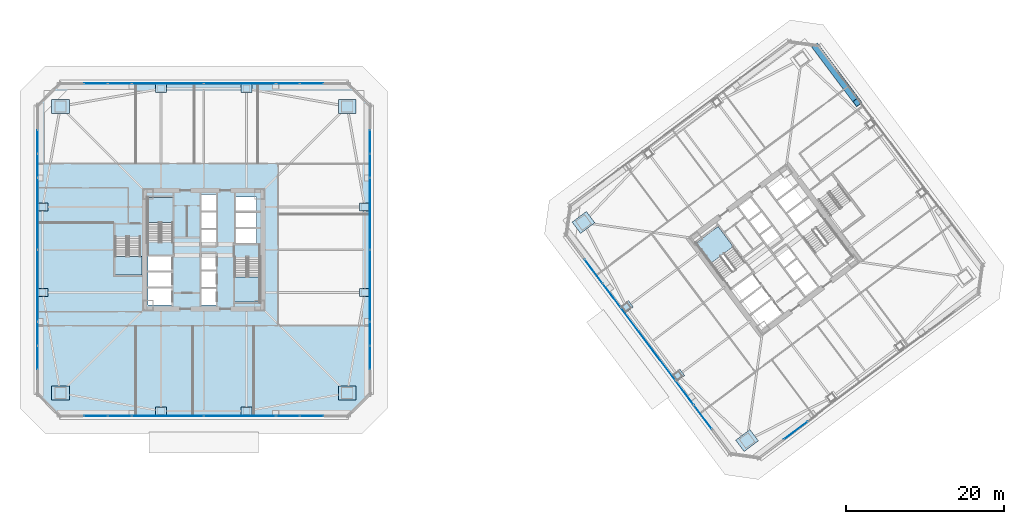
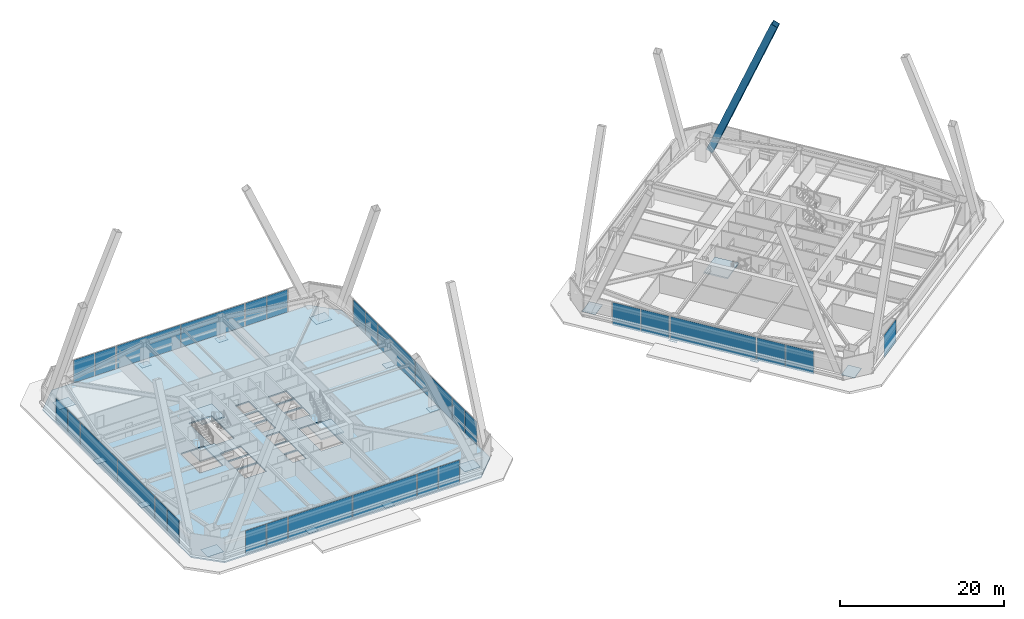
# One storey, part 54 of 67: 46 plates, 5 slabs, 1 member, 20 elements without a shape of their own.
"""IFC4 building model written with IfcOpenShell, lengths in metres."""

from ifc_helpers import new_model, si_unit, direction, frame, origin, origin_2d, place, context, subcontext, project, spatial, polyline, rectangle, hollow_rectangle, outline, extrude, material, layer, layer_set, material_profile, profile_set, type_object, element, aggregate, save


model = new_model("IFC4")

# Units and contexts
model_context = context("Model", 3, precision=1e-05, world=origin(), true_north=direction((0.0, 1.0)))
body_context = subcontext(model_context, "Body", "Model", "MODEL_VIEW")
ifc_project = project(units=[si_unit("LENGTHUNIT", "METRE"), si_unit("AREAUNIT", "SQUARE_METRE"), si_unit("VOLUMEUNIT", "CUBIC_METRE"), si_unit("PLANEANGLEUNIT", "RADIAN"), si_unit("MASSUNIT", "GRAM", prefix="KILO")], contexts=[model_context])

# Site, building, storey
site_placement = place(None, origin())
site = spatial("IfcSite", under=ifc_project, at=site_placement, CompositionType="ELEMENT")
building_placement = place(site_placement, origin())
building = spatial("IfcBuilding", under=site, at=building_placement, Name="Tashvorn Skyway Center", CompositionType="ELEMENT")
storey_placement = place(building_placement, frame((0.0, 0.0, 67.199951171875)))
storey = spatial("IfcBuildingStorey", under=building, at=storey_placement, Name="L17", CompositionType="ELEMENT", Elevation=67.199951171875)

# Member
ifc_material_1 = material(Name="Steel ASTM A572 Grade 50", Category="steel")
ifc_material_profile = material_profile(ifc_material_1, hollow_rectangle(XDim=0.89990234375, YDim=0.89990234375, WallThickness=0.0400390625, at=origin_2d()), Name="BOX900x900x40")
ifc_profile_set = profile_set([ifc_material_profile], Name="Steel ASTM A572 Grade 50")
member_type = type_object("IfcMemberType", Name="MEM-MB-900", PredefinedType="BRACE", material=ifc_profile_set)
member_placement = place(storey_placement, frame((119.343994140625, 57.508056640625, -0.219970703125), z_axis=(0.226733522004, -0.302322090541, 0.925847321954), x_axis=(0.800010219666, 0.599986373537, 0.0)))
element("IfcMember", 1, at=member_placement, inside=storey, type_object=member_type, Name="Tower 2 Zone 2 E Chevron Mega-Brace R1", PredefinedType="BRACE", context=body_context, shape_type="SweptSolid", body=[
    extrude(hollow_rectangle(XDim=0.89990234375, YDim=0.89990234375, WallThickness=0.0400390625, at=origin_2d()), origin(), (0.0, 0.0, 1.0), 22.757568359375),
])

# Curtain wall, plates
ifc_material_2 = material(Name="Thermally broken bronze-anodized aluminium 6063-T6", Category="aluminium")
curtain_wall_type = type_object("IfcCurtainWallType", Name="CW-CW-Z2", PredefinedType="NOTDEFINED", material=ifc_material_2)
curtain_wall_1_placement = place(storey_placement, origin())
curtain_wall_1 = element("IfcCurtainWall", 2, at=curtain_wall_1_placement, inside=storey, type_object=curtain_wall_type, Name="Tower 1 L17 South Unitised Curtain Wall Glazing Group 1", PredefinedType="NOTDEFINED")
ifc_material_3 = material(Name="Low-E solar-control double insulating safety glass", Category="glass")
ifc_layer_1 = layer(ifc_material_3, 0.0439453125)
ifc_layer_set_1 = layer_set([ifc_layer_1], Name="Low-E solar-control double insulating safety glass")
plate_type_1 = type_object("IfcPlateType", Name="CWP-CW-Z2", PredefinedType="CURTAIN_PANEL", material=ifc_layer_set_1)
plate_1_placement = place(storey_placement, frame((55.614990234375, 11.02001953125, 0.080078125), z_axis=(0.0, 0.0, 1.0), x_axis=(-1.0, 0.0, 0.0)))
plate_1 = element("IfcPlate", 3, at=plate_1_placement, type_object=plate_type_1, Name="CW-Z2 panel 1.1", PredefinedType="CURTAIN_PANEL", context=body_context, shape_type="SweptSolid", body=[
    extrude(rectangle(XDim=2.909912109375, YDim=0.0439453125, at=origin_2d()), origin(), (0.0, 0.0, 1.0), 3.389892578125),
])
plate_2_placement = place(storey_placement, frame((52.625, 11.02001953125, 0.080078125), z_axis=(0.0, 0.0, 1.0), x_axis=(-1.0, 0.0, 0.0)))
plate_2 = element("IfcPlate", 4, at=plate_2_placement, type_object=plate_type_1, Name="CW-Z2 panel 2.1", PredefinedType="CURTAIN_PANEL", context=body_context, shape_type="SweptSolid", body=[
    extrude(rectangle(XDim=2.909912109375, YDim=0.0439453125, at=origin_2d()), origin(), (0.0, 0.0, 1.0), 3.389892578125),
])
aggregate(curtain_wall_1, [plate_1, plate_2])

curtain_wall_2_placement = place(storey_placement, origin())
curtain_wall_2 = element("IfcCurtainWall", 5, at=curtain_wall_2_placement, inside=storey, type_object=curtain_wall_type, Name="Tower 1 L17 South Unitised Curtain Wall Glazing Group 2", PredefinedType="NOTDEFINED")
plate_3_placement = place(storey_placement, frame((46.52490234375, 11.02001953125, 0.080078125), z_axis=(0.0, 0.0, 1.0), x_axis=(-1.0, 0.0, 0.0)))
plate_3 = element("IfcPlate", 6, at=plate_3_placement, type_object=plate_type_1, Name="CW-Z2 panel 1.1", PredefinedType="CURTAIN_PANEL", context=body_context, shape_type="SweptSolid", body=[
    extrude(rectangle(XDim=8.969970703125, YDim=0.0439453125, at=origin_2d()), origin(), (0.0, 0.0, 1.0), 3.389892578125),
])
plate_4_placement = place(storey_placement, frame((37.47509765625, 11.02001953125, 0.080078125), z_axis=(0.0, 0.0, 1.0), x_axis=(-1.0, 0.0, 0.0)))
plate_4 = element("IfcPlate", 7, at=plate_4_placement, type_object=plate_type_1, Name="CW-Z2 panel 2.1", PredefinedType="CURTAIN_PANEL", context=body_context, shape_type="SweptSolid", body=[
    extrude(rectangle(XDim=8.969970703125, YDim=0.0439453125, at=origin_2d()), origin(), (0.0, 0.0, 1.0), 3.389892578125),
])
aggregate(curtain_wall_2, [plate_3, plate_4])

curtain_wall_3_placement = place(storey_placement, origin())
curtain_wall_3 = element("IfcCurtainWall", 8, at=curtain_wall_3_placement, inside=storey, type_object=curtain_wall_type, Name="Tower 1 L17 South Unitised Curtain Wall Glazing Group 3", PredefinedType="NOTDEFINED")
plate_5_placement = place(storey_placement, frame((31.375, 11.02001953125, 0.080078125), z_axis=(0.0, 0.0, 1.0), x_axis=(-1.0, 0.0, 0.0)))
plate_5 = element("IfcPlate", 9, at=plate_5_placement, type_object=plate_type_1, Name="CW-Z2 panel 1.1", PredefinedType="CURTAIN_PANEL", context=body_context, shape_type="SweptSolid", body=[
    extrude(rectangle(XDim=2.909912109375, YDim=0.0439453125, at=origin_2d()), origin(), (0.0, 0.0, 1.0), 3.389892578125),
])
plate_6_placement = place(storey_placement, frame((28.385009765625, 11.02001953125, 0.080078125), z_axis=(0.0, 0.0, 1.0), x_axis=(-1.0, 0.0, 0.0)))
plate_6 = element("IfcPlate", 10, at=plate_6_placement, type_object=plate_type_1, Name="CW-Z2 panel 2.1", PredefinedType="CURTAIN_PANEL", context=body_context, shape_type="SweptSolid", body=[
    extrude(rectangle(XDim=2.909912109375, YDim=0.0439453125, at=origin_2d()), origin(), (0.0, 0.0, 1.0), 3.389892578125),
])
aggregate(curtain_wall_3, [plate_5, plate_6])

curtain_wall_4_placement = place(storey_placement, origin())
curtain_wall_4 = element("IfcCurtainWall", 11, at=curtain_wall_4_placement, inside=storey, type_object=curtain_wall_type, Name="Tower 1 L17 West Unitised Curtain Wall Glazing Group 1", PredefinedType="NOTDEFINED")
plate_7_placement = place(storey_placement, frame((21.02001953125, 18.385009765625, 0.080078125), z_axis=(0.0, 0.0, 1.0), x_axis=(0.0, 1.0, 0.0)))
plate_7 = element("IfcPlate", 12, at=plate_7_placement, type_object=plate_type_1, Name="CW-Z2 panel 1.1", PredefinedType="CURTAIN_PANEL", context=body_context, shape_type="SweptSolid", body=[
    extrude(rectangle(XDim=2.909912109375, YDim=0.0439453125, at=origin_2d()), origin(), (0.0, 0.0, 1.0), 3.389892578125),
])
plate_8_placement = place(storey_placement, frame((21.02001953125, 21.375, 0.080078125), z_axis=(0.0, 0.0, 1.0), x_axis=(0.0, 1.0, 0.0)))
plate_8 = element("IfcPlate", 13, at=plate_8_placement, type_object=plate_type_1, Name="CW-Z2 panel 2.1", PredefinedType="CURTAIN_PANEL", context=body_context, shape_type="SweptSolid", body=[
    extrude(rectangle(XDim=2.909912109375, YDim=0.0439453125, at=origin_2d()), origin(), (0.0, 0.0, 1.0), 3.389892578125),
])
aggregate(curtain_wall_4, [plate_7, plate_8])

curtain_wall_5_placement = place(storey_placement, origin())
curtain_wall_5 = element("IfcCurtainWall", 14, at=curtain_wall_5_placement, inside=storey, type_object=curtain_wall_type, Name="Tower 1 L17 West Unitised Curtain Wall Glazing Group 2", PredefinedType="NOTDEFINED")
plate_9_placement = place(storey_placement, frame((21.02001953125, 27.47509765625, 0.080078125), z_axis=(0.0, 0.0, 1.0), x_axis=(0.0, 1.0, 0.0)))
plate_9 = element("IfcPlate", 15, at=plate_9_placement, type_object=plate_type_1, Name="CW-Z2 panel 1.1", PredefinedType="CURTAIN_PANEL", context=body_context, shape_type="SweptSolid", body=[
    extrude(rectangle(XDim=8.969970703125, YDim=0.0439453125, at=origin_2d()), origin(), (0.0, 0.0, 1.0), 3.389892578125),
])
plate_10_placement = place(storey_placement, frame((21.02001953125, 36.52490234375, 0.080078125), z_axis=(0.0, 0.0, 1.0), x_axis=(0.0, 1.0, 0.0)))
plate_10 = element("IfcPlate", 16, at=plate_10_placement, type_object=plate_type_1, Name="CW-Z2 panel 2.1", PredefinedType="CURTAIN_PANEL", context=body_context, shape_type="SweptSolid", body=[
    extrude(rectangle(XDim=8.969970703125, YDim=0.0439453125, at=origin_2d()), origin(), (0.0, 0.0, 1.0), 3.389892578125),
])
aggregate(curtain_wall_5, [plate_9, plate_10])

curtain_wall_6_placement = place(storey_placement, origin())
curtain_wall_6 = element("IfcCurtainWall", 17, at=curtain_wall_6_placement, inside=storey, type_object=curtain_wall_type, Name="Tower 1 L17 West Unitised Curtain Wall Glazing Group 3", PredefinedType="NOTDEFINED")
plate_11_placement = place(storey_placement, frame((21.02001953125, 42.625, 0.080078125), z_axis=(0.0, 0.0, 1.0), x_axis=(0.0, 1.0, 0.0)))
plate_11 = element("IfcPlate", 18, at=plate_11_placement, type_object=plate_type_1, Name="CW-Z2 panel 1.1", PredefinedType="CURTAIN_PANEL", context=body_context, shape_type="SweptSolid", body=[
    extrude(rectangle(XDim=2.909912109375, YDim=0.0439453125, at=origin_2d()), origin(), (0.0, 0.0, 1.0), 3.389892578125),
])
plate_12_placement = place(storey_placement, frame((21.02001953125, 45.614990234375, 0.080078125), z_axis=(0.0, 0.0, 1.0), x_axis=(0.0, 1.0, 0.0)))
plate_12 = element("IfcPlate", 19, at=plate_12_placement, type_object=plate_type_1, Name="CW-Z2 panel 2.1", PredefinedType="CURTAIN_PANEL", context=body_context, shape_type="SweptSolid", body=[
    extrude(rectangle(XDim=2.909912109375, YDim=0.0439453125, at=origin_2d()), origin(), (0.0, 0.0, 1.0), 3.389892578125),
])
aggregate(curtain_wall_6, [plate_11, plate_12])

curtain_wall_7_placement = place(storey_placement, origin())
curtain_wall_7 = element("IfcCurtainWall", 20, at=curtain_wall_7_placement, inside=storey, type_object=curtain_wall_type, Name="Tower 1 L17 North Unitised Curtain Wall Glazing Group 1", PredefinedType="NOTDEFINED")
plate_13_placement = place(storey_placement, frame((28.385009765625, 52.97998046875, 0.080078125), z_axis=(0.0, 0.0, 1.0), x_axis=(1.0, 0.0, 0.0)))
plate_13 = element("IfcPlate", 21, at=plate_13_placement, type_object=plate_type_1, Name="CW-Z2 panel 1.1", PredefinedType="CURTAIN_PANEL", context=body_context, shape_type="SweptSolid", body=[
    extrude(rectangle(XDim=2.909912109375, YDim=0.0439453125, at=origin_2d()), origin(), (0.0, 0.0, 1.0), 3.389892578125),
])
plate_14_placement = place(storey_placement, frame((31.375, 52.97998046875, 0.080078125), z_axis=(0.0, 0.0, 1.0), x_axis=(1.0, 0.0, 0.0)))
plate_14 = element("IfcPlate", 22, at=plate_14_placement, type_object=plate_type_1, Name="CW-Z2 panel 2.1", PredefinedType="CURTAIN_PANEL", context=body_context, shape_type="SweptSolid", body=[
    extrude(rectangle(XDim=2.909912109375, YDim=0.0439453125, at=origin_2d()), origin(), (0.0, 0.0, 1.0), 3.389892578125),
])
aggregate(curtain_wall_7, [plate_13, plate_14])

curtain_wall_8_placement = place(storey_placement, origin())
curtain_wall_8 = element("IfcCurtainWall", 23, at=curtain_wall_8_placement, inside=storey, type_object=curtain_wall_type, Name="Tower 1 L17 North Unitised Curtain Wall Glazing Group 2", PredefinedType="NOTDEFINED")
plate_15_placement = place(storey_placement, frame((37.47509765625, 52.97998046875, 0.080078125), z_axis=(0.0, 0.0, 1.0), x_axis=(1.0, 0.0, 0.0)))
plate_15 = element("IfcPlate", 24, at=plate_15_placement, type_object=plate_type_1, Name="CW-Z2 panel 1.1", PredefinedType="CURTAIN_PANEL", context=body_context, shape_type="SweptSolid", body=[
    extrude(rectangle(XDim=8.969970703125, YDim=0.0439453125, at=origin_2d()), origin(), (0.0, 0.0, 1.0), 3.389892578125),
])
plate_16_placement = place(storey_placement, frame((46.52490234375, 52.97998046875, 0.080078125), z_axis=(0.0, 0.0, 1.0), x_axis=(1.0, 0.0, 0.0)))
plate_16 = element("IfcPlate", 25, at=plate_16_placement, type_object=plate_type_1, Name="CW-Z2 panel 2.1", PredefinedType="CURTAIN_PANEL", context=body_context, shape_type="SweptSolid", body=[
    extrude(rectangle(XDim=8.969970703125, YDim=0.0439453125, at=origin_2d()), origin(), (0.0, 0.0, 1.0), 3.389892578125),
])
aggregate(curtain_wall_8, [plate_15, plate_16])

curtain_wall_9_placement = place(storey_placement, origin())
curtain_wall_9 = element("IfcCurtainWall", 26, at=curtain_wall_9_placement, inside=storey, type_object=curtain_wall_type, Name="Tower 1 L17 North Unitised Curtain Wall Glazing Group 3", PredefinedType="NOTDEFINED")
plate_17_placement = place(storey_placement, frame((52.625, 52.97998046875, 0.080078125), z_axis=(0.0, 0.0, 1.0), x_axis=(1.0, 0.0, 0.0)))
plate_17 = element("IfcPlate", 27, at=plate_17_placement, type_object=plate_type_1, Name="CW-Z2 panel 1.1", PredefinedType="CURTAIN_PANEL", context=body_context, shape_type="SweptSolid", body=[
    extrude(rectangle(XDim=2.909912109375, YDim=0.0439453125, at=origin_2d()), origin(), (0.0, 0.0, 1.0), 3.389892578125),
])
plate_18_placement = place(storey_placement, frame((55.614990234375, 52.97998046875, 0.080078125), z_axis=(0.0, 0.0, 1.0), x_axis=(1.0, 0.0, 0.0)))
plate_18 = element("IfcPlate", 28, at=plate_18_placement, type_object=plate_type_1, Name="CW-Z2 panel 2.1", PredefinedType="CURTAIN_PANEL", context=body_context, shape_type="SweptSolid", body=[
    extrude(rectangle(XDim=2.909912109375, YDim=0.0439453125, at=origin_2d()), origin(), (0.0, 0.0, 1.0), 3.389892578125),
])
aggregate(curtain_wall_9, [plate_17, plate_18])

curtain_wall_10_placement = place(storey_placement, origin())
curtain_wall_10 = element("IfcCurtainWall", 29, at=curtain_wall_10_placement, inside=storey, type_object=curtain_wall_type, Name="Tower 1 L17 East Unitised Curtain Wall Glazing Group 1", PredefinedType="NOTDEFINED")
plate_19_placement = place(storey_placement, frame((62.97998046875, 45.614990234375, 0.080078125), z_axis=(0.0, 0.0, 1.0), x_axis=(0.0, -1.0, 0.0)))
plate_19 = element("IfcPlate", 30, at=plate_19_placement, type_object=plate_type_1, Name="CW-Z2 panel 1.1", PredefinedType="CURTAIN_PANEL", context=body_context, shape_type="SweptSolid", body=[
    extrude(rectangle(XDim=2.909912109375, YDim=0.0439453125, at=origin_2d()), origin(), (0.0, 0.0, 1.0), 3.389892578125),
])
plate_20_placement = place(storey_placement, frame((62.97998046875, 42.625, 0.080078125), z_axis=(0.0, 0.0, 1.0), x_axis=(0.0, -1.0, 0.0)))
plate_20 = element("IfcPlate", 31, at=plate_20_placement, type_object=plate_type_1, Name="CW-Z2 panel 2.1", PredefinedType="CURTAIN_PANEL", context=body_context, shape_type="SweptSolid", body=[
    extrude(rectangle(XDim=2.909912109375, YDim=0.0439453125, at=origin_2d()), origin(), (0.0, 0.0, 1.0), 3.389892578125),
])
aggregate(curtain_wall_10, [plate_19, plate_20])

curtain_wall_11_placement = place(storey_placement, origin())
curtain_wall_11 = element("IfcCurtainWall", 32, at=curtain_wall_11_placement, inside=storey, type_object=curtain_wall_type, Name="Tower 1 L17 East Unitised Curtain Wall Glazing Group 2", PredefinedType="NOTDEFINED")
plate_21_placement = place(storey_placement, frame((62.97998046875, 36.52490234375, 0.080078125), z_axis=(0.0, 0.0, 1.0), x_axis=(0.0, -1.0, 0.0)))
plate_21 = element("IfcPlate", 33, at=plate_21_placement, type_object=plate_type_1, Name="CW-Z2 panel 1.1", PredefinedType="CURTAIN_PANEL", context=body_context, shape_type="SweptSolid", body=[
    extrude(rectangle(XDim=8.969970703125, YDim=0.0439453125, at=origin_2d()), origin(), (0.0, 0.0, 1.0), 3.389892578125),
])
plate_22_placement = place(storey_placement, frame((62.97998046875, 27.47509765625, 0.080078125), z_axis=(0.0, 0.0, 1.0), x_axis=(0.0, -1.0, 0.0)))
plate_22 = element("IfcPlate", 34, at=plate_22_placement, type_object=plate_type_1, Name="CW-Z2 panel 2.1", PredefinedType="CURTAIN_PANEL", context=body_context, shape_type="SweptSolid", body=[
    extrude(rectangle(XDim=8.969970703125, YDim=0.0439453125, at=origin_2d()), origin(), (0.0, 0.0, 1.0), 3.389892578125),
])
aggregate(curtain_wall_11, [plate_21, plate_22])

curtain_wall_12_placement = place(storey_placement, origin())
curtain_wall_12 = element("IfcCurtainWall", 35, at=curtain_wall_12_placement, inside=storey, type_object=curtain_wall_type, Name="Tower 1 L17 East Unitised Curtain Wall Glazing Group 3", PredefinedType="NOTDEFINED")
plate_23_placement = place(storey_placement, frame((62.97998046875, 21.375, 0.080078125), z_axis=(0.0, 0.0, 1.0), x_axis=(0.0, -1.0, 0.0)))
plate_23 = element("IfcPlate", 36, at=plate_23_placement, type_object=plate_type_1, Name="CW-Z2 panel 1.1", PredefinedType="CURTAIN_PANEL", context=body_context, shape_type="SweptSolid", body=[
    extrude(rectangle(XDim=2.909912109375, YDim=0.0439453125, at=origin_2d()), origin(), (0.0, 0.0, 1.0), 3.389892578125),
])
plate_24_placement = place(storey_placement, frame((62.97998046875, 18.385009765625, 0.080078125), z_axis=(0.0, 0.0, 1.0), x_axis=(0.0, -1.0, 0.0)))
plate_24 = element("IfcPlate", 37, at=plate_24_placement, type_object=plate_type_1, Name="CW-Z2 panel 2.1", PredefinedType="CURTAIN_PANEL", context=body_context, shape_type="SweptSolid", body=[
    extrude(rectangle(XDim=2.909912109375, YDim=0.0439453125, at=origin_2d()), origin(), (0.0, 0.0, 1.0), 3.389892578125),
])
aggregate(curtain_wall_12, [plate_23, plate_24])

# Curtain wall, plate
curtain_wall_13_placement = place(storey_placement, origin())
curtain_wall_13 = element("IfcCurtainWall", 38, at=curtain_wall_13_placement, inside=storey, type_object=curtain_wall_type, Name="Tower 2 L17 South Unitised Curtain Wall Glazing Group 3", PredefinedType="NOTDEFINED")
plate_25_placement = place(storey_placement, frame((116.72802734375, 9.196044921875, 0.080078125), z_axis=(0.0, 0.0, 1.0), x_axis=(-0.799999999998, -0.600000000002, 0.0)))
plate_25 = element("IfcPlate", 39, at=plate_25_placement, type_object=plate_type_1, Name="CW-Z2 panel 2.1", PredefinedType="CURTAIN_PANEL", context=body_context, shape_type="SweptSolid", body=[
    extrude(rectangle(XDim=3.719970703125, YDim=0.0439453125, at=origin_2d()), origin(), (0.0, 0.0, 1.0), 3.389892578125),
])
aggregate(curtain_wall_13, [plate_25])

# Curtain wall, plates
curtain_wall_14_placement = place(storey_placement, origin())
curtain_wall_14 = element("IfcCurtainWall", 40, at=curtain_wall_14_placement, inside=storey, type_object=curtain_wall_type, Name="Tower 2 L17 West Unitised Curtain Wall Glazing Group 1", PredefinedType="NOTDEFINED")
plate_26_placement = place(storey_placement, frame((104.99609375, 10.8720703125, 0.080078125), z_axis=(0.0, 0.0, 1.0), x_axis=(-0.600000000002, 0.799999999998, 0.0)))
plate_26 = element("IfcPlate", 41, at=plate_26_placement, type_object=plate_type_1, Name="CW-Z2 panel 1.1", PredefinedType="CURTAIN_PANEL", context=body_context, shape_type="SweptSolid", body=[
    extrude(rectangle(XDim=3.719970703125, YDim=0.0439453125, at=origin_2d()), origin(), (0.0, 0.0, 1.0), 3.389892578125),
])
plate_27_placement = place(storey_placement, frame((102.716064453125, 13.912109375, 0.080078125), z_axis=(0.0, 0.0, 1.0), x_axis=(-0.600000000002, 0.799999999998, 0.0)))
plate_27 = element("IfcPlate", 42, at=plate_27_placement, type_object=plate_type_1, Name="CW-Z2 panel 2.1", PredefinedType="CURTAIN_PANEL", context=body_context, shape_type="SweptSolid", body=[
    extrude(rectangle(XDim=3.719970703125, YDim=0.0439453125, at=origin_2d()), origin(), (0.0, 0.0, 1.0), 3.389892578125),
])
aggregate(curtain_wall_14, [plate_26, plate_27])

# Curtain wall, plate
curtain_wall_15_placement = place(storey_placement, origin())
curtain_wall_15 = element("IfcCurtainWall", 43, at=curtain_wall_15_placement, inside=storey, type_object=curtain_wall_type, Name="Tower 2 L17 West Unitised Curtain Wall Glazing Group 2", PredefinedType="NOTDEFINED")
plate_28_placement = place(storey_placement, frame((98.095947265625, 20.072021484375, 0.080078125), z_axis=(0.0, 0.0, 1.0), x_axis=(-0.600000000002, 0.799999999998, 0.0)))
plate_28 = element("IfcPlate", 44, at=plate_28_placement, type_object=plate_type_1, Name="CW-Z2 panel 1.1", PredefinedType="CURTAIN_PANEL", context=body_context, shape_type="SweptSolid", body=[
    extrude(rectangle(XDim=11.360107421875, YDim=0.0439453125, at=origin_2d()), origin(), (0.0, 0.0, 1.0), 3.389892578125),
])
aggregate(curtain_wall_15, [plate_28])

# Curtain wall, plates
curtain_wall_16_placement = place(storey_placement, origin())
curtain_wall_16 = element("IfcCurtainWall", 45, at=curtain_wall_16_placement, inside=storey, type_object=curtain_wall_type, Name="Tower 2 L17 West Unitised Curtain Wall Glazing Group 3", PredefinedType="NOTDEFINED")
plate_29_placement = place(storey_placement, frame((93.47607421875, 26.23193359375, 0.080078125), z_axis=(0.0, 0.0, 1.0), x_axis=(-0.600000000002, 0.799999999998, 0.0)))
plate_29 = element("IfcPlate", 46, at=plate_29_placement, type_object=plate_type_1, Name="CW-Z2 panel 1.1", PredefinedType="CURTAIN_PANEL", context=body_context, shape_type="SweptSolid", body=[
    extrude(rectangle(XDim=3.719970703125, YDim=0.0439453125, at=origin_2d()), origin(), (0.0, 0.0, 1.0), 3.389892578125),
])
plate_30_placement = place(storey_placement, frame((91.196044921875, 29.27197265625, 0.080078125), z_axis=(0.0, 0.0, 1.0), x_axis=(-0.600000000002, 0.799999999998, 0.0)))
plate_30 = element("IfcPlate", 47, at=plate_30_placement, type_object=plate_type_1, Name="CW-Z2 panel 2.1", PredefinedType="CURTAIN_PANEL", context=body_context, shape_type="SweptSolid", body=[
    extrude(rectangle(XDim=3.719970703125, YDim=0.0439453125, at=origin_2d()), origin(), (0.0, 0.0, 1.0), 3.389892578125),
])
aggregate(curtain_wall_16, [plate_29, plate_30])

# Plates
ifc_layer_2 = layer(ifc_material_1, 0.050048828125)
ifc_layer_set_2 = layer_set([ifc_layer_2], Name="Steel ASTM A572 Grade 50")
plate_type_2 = type_object("IfcPlateType", Name="PLT-ENDCAP-1650", PredefinedType="USERDEFINED", material=ifc_layer_set_2)
for number, where, z_axis, x_axis, name in (
    (48, (23.89990234375, 13.89990234375, -0.23486328125), (0.0, 0.0, 1.0), (1.0, 0.0, 0.0), "Tower 1 L17 MC-SW Setback Base End Plate"),
    (49, (60.10009765625, 13.89990234375, -0.23486328125), (0.0, 0.0, 1.0), (1.0, 0.0, 0.0), "Tower 1 L17 MC-SE Setback Base End Plate"),
    (50, (60.10009765625, 50.10009765625, -0.23486328125), (0.0, 0.0, 1.0), (1.0, 0.0, 0.0), "Tower 1 L17 MC-NE Setback Base End Plate"),
    (51, (23.89990234375, 50.10009765625, -0.23486328125), (0.0, 0.0, 1.0), (1.0, 0.0, 0.0), "Tower 1 L17 MC-NW Setback Base End Plate"),
    (52, (110.56005859375, 7.919921875, -0.23486328125), (0.0, 0.0, 1.0), (0.799999996291, 0.600000004945, 0.0), "Tower 2 L17 MC-SW Setback Base End Plate"),
    (53, (89.919921875, 35.43994140625, -0.23486328125), (0.0, 0.0, 1.0), (0.799999996291, 0.600000004945, 0.0), "Tower 2 L17 MC-NW Setback Base End Plate"),
):
    element("IfcPlate", number, at=place(storey_placement, frame(where, z_axis=z_axis, x_axis=x_axis)), inside=storey, type_object=plate_type_2, Name=name, ObjectType="END PLATE", PredefinedType="USERDEFINED", context=body_context, shape_type="SweptSolid", body=[
        extrude(rectangle(XDim=2.25, YDim=1.780029296875, at=origin_2d()), origin(), (0.0, 0.0, 1.0), 0.050048828125),
    ])
ifc_layer_3 = layer(ifc_material_1, 0.050048828125)
ifc_layer_set_3 = layer_set([ifc_layer_3], Name="Steel ASTM A572 Grade 50")
plate_type_3 = type_object("IfcPlateType", Name="PLT-ENDCAP-900", PredefinedType="USERDEFINED", material=ifc_layer_set_3)
for number, where, z_axis, x_axis, name in (
    (54, (36.60009765625, 11.64990234375, -0.23486328125), (0.0, 0.0, 1.0), (1.0, 0.0, 0.0), "Tower 1 L17 FC-S1 Setback Base End Plate"),
    (55, (47.39990234375, 11.64990234375, -0.23486328125), (0.0, 0.0, 1.0), (1.0, 0.0, 0.0), "Tower 1 L17 FC-S2 Setback Base End Plate"),
    (56, (62.35009765625, 26.60009765625, -0.23486328125), (0.0, 0.0, 1.0), (1.0, 0.0, 0.0), "Tower 1 L17 FC-E1 Setback Base End Plate"),
    (57, (62.35009765625, 37.39990234375, -0.23486328125), (0.0, 0.0, 1.0), (1.0, 0.0, 0.0), "Tower 1 L17 FC-E2 Setback Base End Plate"),
    (58, (47.39990234375, 52.35009765625, -0.23486328125), (0.0, 0.0, 1.0), (1.0, 0.0, 0.0), "Tower 1 L17 FC-N1 Setback Base End Plate"),
    (59, (36.60009765625, 52.35009765625, -0.23486328125), (0.0, 0.0, 1.0), (1.0, 0.0, 0.0), "Tower 1 L17 FC-N2 Setback Base End Plate"),
    (60, (21.64990234375, 37.39990234375, -0.23486328125), (0.0, 0.0, 1.0), (1.0, 0.0, 0.0), "Tower 1 L17 FC-W1 Setback Base End Plate"),
    (61, (21.64990234375, 26.60009765625, -0.23486328125), (0.0, 0.0, 1.0), (1.0, 0.0, 0.0), "Tower 1 L17 FC-W2 Setback Base End Plate"),
    (62, (95.360107421875, 24.77001953125, -0.23486328125), (0.0, 0.0, 1.0), (0.799999996291, 0.600000004945, 0.0), "Tower 2 L17 FC-W1 Setback Base End Plate"),
    (63, (101.840087890625, 16.1298828125, -0.23486328125), (0.0, 0.0, 1.0), (0.799999996291, 0.600000004945, 0.0), "Tower 2 L17 FC-W2 Setback Base End Plate"),
):
    element("IfcPlate", number, at=place(storey_placement, frame(where, z_axis=z_axis, x_axis=x_axis)), inside=storey, type_object=plate_type_3, Name=name, ObjectType="END PLATE", PredefinedType="USERDEFINED", context=body_context, shape_type="SweptSolid", body=[
        extrude(rectangle(XDim=1.35009765625, YDim=1.050048828125, at=origin_2d()), origin(), (0.0, 0.0, 1.0), 0.050048828125),
    ])

# Slab
ifc_material_4 = material(Name="Concrete C40/50", Category="concrete")
ifc_layer_4 = layer(ifc_material_4, 0.199951171875)
ifc_layer_set_4 = layer_set([ifc_layer_4], Name="Concrete C40/50")
slab_type_1 = type_object("IfcSlabType", Name="SLAB-FLR-200", PredefinedType="FLOOR", material=ifc_layer_set_4)
slab_1_placement = place(storey_placement, frame((0.0, 0.0, -0.199951171875)))
element("IfcSlab", 64, at=slab_1_placement, inside=storey, type_object=slab_type_1, Name="Tower 1 L17 Composite Floor Slab", PredefinedType="FLOOR", context=body_context, shape_type="SweptSolid", body=[
    extrude(outline(polyline([(23.89990234375, 10.89990234375), (60.10009765625, 10.89990234375), (63.10009765625, 13.89990234375), (63.10009765625, 50.10009765625), (60.10009765625, 53.10009765625), (23.89990234375, 53.10009765625), (20.89990234375, 50.10009765625), (20.89990234375, 13.89990234375), (23.89990234375, 10.89990234375)]), holes=[polyline([(38.10009765625, 33.080078125), (38.10009765625, 38.60009765625), (34.89990234375, 38.60009765625), (34.89990234375, 33.080078125), (38.10009765625, 33.080078125)]), polyline([(45.89990234375, 30.919921875), (45.89990234375, 25.39990234375), (49.10009765625, 25.39990234375), (49.10009765625, 30.919921875), (45.89990234375, 30.919921875)]), polyline([(30.800048828125, 33.52001953125), (30.800048828125, 28.800048828125), (34.0, 28.800048828125), (34.0, 33.52001953125), (30.800048828125, 33.52001953125)]), polyline([(34.949951171875, 29.35009765625), (37.949951171875, 29.35009765625), (37.949951171875, 31.199951171875), (34.949951171875, 31.199951171875), (34.949951171875, 29.35009765625)]), polyline([(34.949951171875, 27.35009765625), (37.949951171875, 27.35009765625), (37.949951171875, 29.199951171875), (34.949951171875, 29.199951171875), (34.949951171875, 27.35009765625)]), polyline([(34.949951171875, 25.0), (37.949951171875, 25.0), (37.949951171875, 27.14990234375), (34.949951171875, 27.14990234375), (34.949951171875, 25.0)]), polyline([(41.64990234375, 25.0), (43.550048828125, 25.0), (43.550048828125, 27.050048828125), (41.64990234375, 27.050048828125), (41.64990234375, 25.0)]), polyline([(41.64990234375, 27.25), (43.550048828125, 27.25), (43.550048828125, 29.300048828125), (41.64990234375, 29.300048828125), (41.64990234375, 27.25)]), polyline([(41.64990234375, 29.5), (43.550048828125, 29.5), (43.550048828125, 31.550048828125), (41.64990234375, 31.550048828125), (41.64990234375, 29.5)]), polyline([(41.64990234375, 32.449951171875), (43.550048828125, 32.449951171875), (43.550048828125, 34.5), (41.64990234375, 34.5), (41.64990234375, 32.449951171875)]), polyline([(41.64990234375, 34.699951171875), (43.550048828125, 34.699951171875), (43.550048828125, 36.75), (41.64990234375, 36.75), (41.64990234375, 34.699951171875)]), polyline([(41.64990234375, 36.949951171875), (43.550048828125, 36.949951171875), (43.550048828125, 39.0), (41.64990234375, 39.0), (41.64990234375, 36.949951171875)]), polyline([(46.050048828125, 32.800048828125), (48.64990234375, 32.800048828125), (48.64990234375, 34.64990234375), (46.050048828125, 34.64990234375), (46.050048828125, 32.800048828125)]), polyline([(46.050048828125, 34.85009765625), (48.64990234375, 34.85009765625), (48.64990234375, 36.699951171875), (46.050048828125, 36.699951171875), (46.050048828125, 34.85009765625)]), polyline([(46.050048828125, 36.89990234375), (48.64990234375, 36.89990234375), (48.64990234375, 38.64990234375), (46.050048828125, 38.64990234375), (46.050048828125, 36.89990234375)])]), origin(), (0.0, 0.0, 1.0), 0.199951171875),
])

# Stair, slab
stair_type = type_object("IfcStairType", Name="STAIR-CORE-1500", PredefinedType="HALF_TURN_STAIR", material=ifc_material_4)
stair_1_placement = place(storey_placement, origin())
stair_1 = element("IfcStair", 65, at=stair_1_placement, inside=storey, type_object=stair_type, Name="L17 Tower 1 Exit Stair 1", PredefinedType="HALF_TURN_STAIR")
ifc_layer_5 = layer(ifc_material_4, 0.199951171875)
ifc_layer_set_5 = layer_set([ifc_layer_5], Name="Concrete C40/50")
slab_type_2 = type_object("IfcSlabType", Name="SLAB-LAND-200", PredefinedType="LANDING", material=ifc_layer_set_5)
slab_2_placement = place(storey_placement, frame((0.0, 0.0, 1.574951171875)))
slab_2 = element("IfcSlab", 66, at=slab_2_placement, type_object=slab_type_2, Name="ST-T1-1 landing 1", PredefinedType="LANDING", context=body_context, shape_type="SweptSolid", body=[
    extrude(outline(polyline([(38.10009765625, 35.43994140625), (38.10009765625, 38.60009765625), (34.89990234375, 38.60009765625), (34.89990234375, 35.43994140625), (38.10009765625, 35.43994140625)])), origin(), (0.0, 0.0, 1.0), 0.2001953125),
])
aggregate(stair_1, [slab_2])

stair_2_placement = place(storey_placement, origin())
stair_2 = element("IfcStair", 67, at=stair_2_placement, inside=storey, type_object=stair_type, Name="L17 Tower 1 Exit Stair 2", PredefinedType="HALF_TURN_STAIR")
slab_3_placement = place(storey_placement, frame((0.0, 0.0, 1.574951171875)))
slab_3 = element("IfcSlab", 68, at=slab_3_placement, type_object=slab_type_2, Name="ST-T1-2 landing 1", PredefinedType="LANDING", context=body_context, shape_type="SweptSolid", body=[
    extrude(outline(polyline([(45.89990234375, 28.56005859375), (45.89990234375, 25.39990234375), (49.10009765625, 25.39990234375), (49.10009765625, 28.56005859375), (45.89990234375, 28.56005859375)])), origin(), (0.0, 0.0, 1.0), 0.2001953125),
])
aggregate(stair_2, [slab_3])

stair_3_placement = place(storey_placement, origin())
stair_3 = element("IfcStair", 69, at=stair_3_placement, inside=storey, type_object=stair_type, Name="L17 Tower 2 Exit Stair 1", PredefinedType="HALF_TURN_STAIR")
slab_4_placement = place(storey_placement, frame((0.0, 0.0, 1.574951171875)))
slab_4 = element("IfcSlab", 70, at=slab_4_placement, type_object=slab_type_2, Name="ST-T2-1 landing 1", PredefinedType="LANDING", context=body_context, shape_type="SweptSolid", body=[
    extrude(outline(polyline([(108.82080078125, 32.405517578125), (106.919921875, 34.93994140625), (104.135986328125, 32.85205078125), (106.036865234375, 30.317626953125), (108.82080078125, 32.405517578125)])), origin(), (0.0, 0.0, 1.0), 0.2001953125),
])
aggregate(stair_3, [slab_4])

stair_4_placement = place(storey_placement, origin())
stair_4 = element("IfcStair", 71, at=stair_4_placement, inside=storey, type_object=stair_type, Name="L17 Tower 1 Exit Stair 3", PredefinedType="HALF_TURN_STAIR")
slab_5_placement = place(storey_placement, frame((0.0, 0.0, 1.574951171875)))
slab_5 = element("IfcSlab", 72, at=slab_5_placement, type_object=slab_type_2, Name="ST-T1-3 landing 1", PredefinedType="LANDING", context=body_context, shape_type="SweptSolid", body=[
    extrude(outline(polyline([(30.800048828125, 31.159912109375), (30.800048828125, 28.800048828125), (34.199951171875, 28.800048828125), (34.199951171875, 31.159912109375), (30.800048828125, 31.159912109375)])), origin(), (0.0, 0.0, 1.0), 0.2001953125),
])
aggregate(stair_4, [slab_5])

save(model, "model.ifc")
